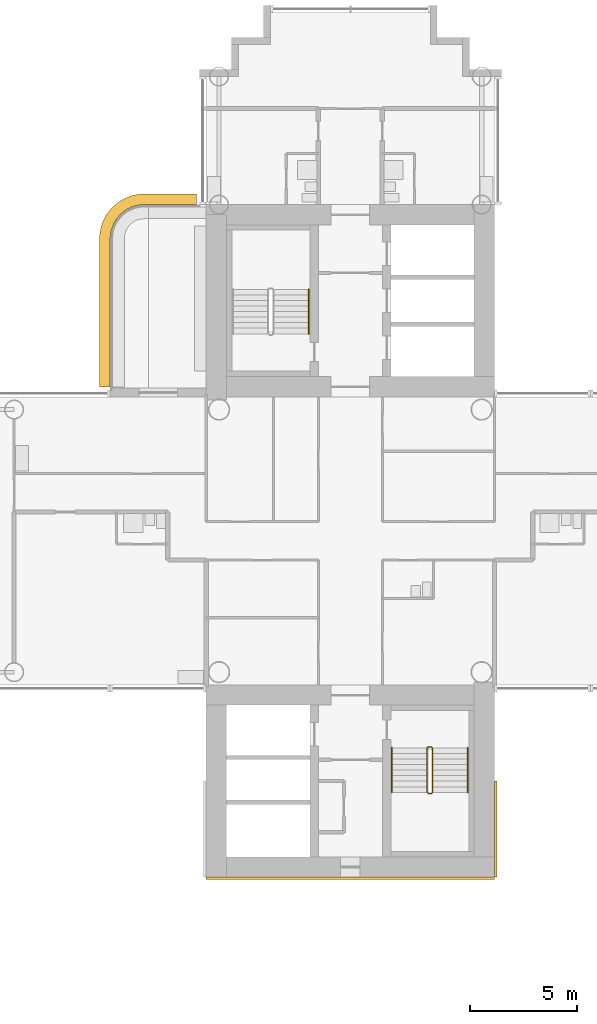
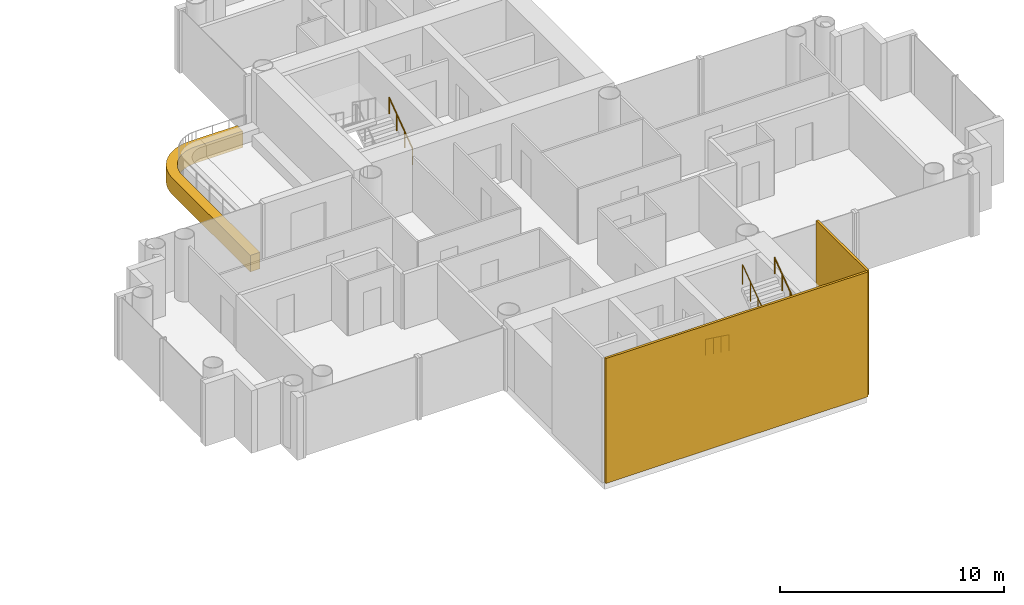
# One storey, part 20 of 21: 4 railings, 3 coverings.
"""IFC4 building model written with IfcOpenShell, lengths in metres."""

from ifc_helpers import new_model, si_unit, direction, frame, origin, origin_2d, place, context, subcontext, project, spatial, polyline, rectangle, circle, outline, extrude, material, layer, layer_set, type_object, element, save


model = new_model("IFC4")

# Units and contexts
model_context = context("Model", 3, precision=1e-05, world=origin(), true_north=direction((0.0, 1.0)))
body_context = subcontext(model_context, "Body", "Model", "MODEL_VIEW")
ifc_project = project(units=[si_unit("LENGTHUNIT", "METRE"), si_unit("AREAUNIT", "SQUARE_METRE"), si_unit("VOLUMEUNIT", "CUBIC_METRE"), si_unit("PLANEANGLEUNIT", "RADIAN"), si_unit("MASSUNIT", "GRAM", prefix="KILO")], contexts=[model_context])

# Site, building, storey
site_placement = place(None, origin())
site = spatial("IfcSite", under=ifc_project, at=site_placement, CompositionType="ELEMENT")
building_placement = place(site_placement, origin())
building = spatial("IfcBuilding", under=site, at=building_placement, Name="Ipe Terrace Towers", CompositionType="ELEMENT")
storey_placement = place(building_placement, frame((0.0, 0.0, 103.800048828125)))
storey = spatial("IfcBuildingStorey", under=building, at=storey_placement, Name="L28", CompositionType="ELEMENT", Elevation=103.800048828125)

# Coverings
ifc_material_1 = material(Name="Concrete C50/60 precast, buff finish", Category="concrete")
ifc_layer_1 = layer(ifc_material_1, 0.1201171875)
ifc_layer_set_1 = layer_set([ifc_layer_1], Name="STONE CORE CLADDING 120")
covering_type_1 = type_object("IfcCoveringType", Name="STONE CORE CLADDING 120", PredefinedType="CLADDING", material=ifc_layer_set_1)
covering_1_placement = place(storey_placement, frame((36.0, -15.81005859375, 0.0), z_axis=(0.0, 0.0, 1.0), x_axis=(1.0, 0.0, 0.0)))
element("IfcCovering", 1, at=covering_1_placement, inside=storey, type_object=covering_type_1, Name="stone core cladding", PredefinedType="CLADDING", context=body_context, shape_type="SweptSolid", body=[
    extrude(rectangle(XDim=13.5, YDim=0.1201171875, at=origin_2d()), origin(), (0.0, 0.0, 1.0), 6.800048828125),
])
covering_2_placement = place(storey_placement, frame((42.81005859375, -13.5, 0.0), z_axis=(0.0, 0.0, 1.0), x_axis=(0.0, 1.0, 0.0)))
element("IfcCovering", 2, at=covering_2_placement, inside=storey, type_object=covering_type_1, Name="stone core cladding", PredefinedType="CLADDING", context=body_context, shape_type="SweptSolid", body=[
    extrude(rectangle(XDim=4.5, YDim=0.1201171875, at=origin_2d()), origin(), (0.0, 0.0, 1.0), 6.800048828125),
])
ifc_material_2 = material(Name="Concrete C50/60 precast, buff finish", Category="concrete")
ifc_layer_2 = layer(ifc_material_2, 0.5)
ifc_layer_set_2 = layer_set([ifc_layer_2], Name="STONE EDGE BAND 500 x 900")
covering_type_2 = type_object("IfcCoveringType", Name="STONE EDGE BAND 500 x 900", PredefinedType="CLADDING", material=ifc_layer_set_2)
covering_3_placement = place(storey_placement, frame((0.0, 0.0, -0.719970703125)))
element("IfcCovering", 3, at=covering_3_placement, inside=storey, type_object=covering_type_2, Name="stone edge band", PredefinedType="CLADDING", context=body_context, shape_type="SweptSolid", body=[
    extrude(outline(polyline([(24.25, 14.14990234375), (24.25, 7.199951171875), (24.75, 7.199951171875), (24.75, 14.14990234375), (24.763916015625, 14.35888671875), (24.804931640625, 14.56396484375), (24.8720703125, 14.761962890625), (24.964111328125, 14.949951171875), (25.0810546875, 15.1240234375), (25.218994140625, 15.281005859375), (25.3759765625, 15.4189453125), (25.550048828125, 15.535888671875), (25.738037109375, 15.6279296875), (25.93603515625, 15.695068359375), (26.14111328125, 15.736083984375), (26.35009765625, 15.75), (28.800048828125, 15.75), (28.800048828125, 16.25), (26.35009765625, 16.25), (26.31689453125, 16.2490234375), (26.10791015625, 16.235107421875), (26.0439453125, 16.22705078125), (25.837890625, 16.18603515625), (25.77490234375, 16.1689453125), (25.576904296875, 16.10205078125), (25.51708984375, 16.076904296875), (25.3291015625, 15.98388671875), (25.27197265625, 15.950927734375), (25.097900390625, 15.8349609375), (25.0458984375, 15.794921875), (24.888916015625, 15.656982421875), (24.843017578125, 15.611083984375), (24.705078125, 15.4541015625), (24.6650390625, 15.402099609375), (24.549072265625, 15.22802734375), (24.51611328125, 15.1708984375), (24.423095703125, 14.98291015625), (24.39794921875, 14.923095703125), (24.3310546875, 14.72509765625), (24.31396484375, 14.662109375), (24.27294921875, 14.4560546875), (24.264892578125, 14.39208984375), (24.2509765625, 14.18310546875), (24.25, 14.14990234375)])), origin(), (0.0, 0.0, 1.0), 0.89990234375),
])

# Railings
ifc_material_3 = material(Name="Steel S355", Category="steel")
railing_type_1 = type_object("IfcRailingType", Name="Stair guard 1100", PredefinedType="GUARDRAIL", material=ifc_material_3)
railing_1_placement = place(storey_placement, frame((39.800048828125, -9.64990234375, 0.0)))
element("IfcRailing", 4, at=railing_1_placement, inside=storey, type_object=railing_type_1, Name="L28 T2-ST2 stair guard 1", PredefinedType="GUARDRAIL", context=body_context, shape_type="SweptSolid", body=[
    extrude(circle(Radius=0.02392578125, at=origin_2d()), frame((0.0, 0.0, 1.076171875), z_axis=(-1.0, 0.0, 0.0), x_axis=(0.0, -1.0, 0.0)), (0.0, 0.0, 1.0), 0.150146484375),
    extrude(circle(Radius=0.02392578125, at=origin_2d()), frame((-0.150146484375, 0.0, 1.076171875), z_axis=(-0.247173786771, -0.248385422981, 0.936594790069), x_axis=(0.708833529934, -0.705375805398, 0.0)), (0.0, 0.0, 1.0), 0.201416015625),
    extrude(circle(Radius=0.02392578125, at=origin_2d()), frame((-0.199951171875, -0.050048828125, 1.2646484375), z_axis=(0.0, -0.809023421508, 0.587776406001), x_axis=(1.0, 0.0, 0.0)), (0.0, 0.0, 1.0), 2.571044921875),
    extrude(circle(Radius=0.02392578125, at=origin_2d()), frame((-0.199951171875, -2.130126953125, 2.77587890625), z_axis=(0.705375805398, -0.708833529934, 0.0), x_axis=(0.708833529934, 0.705375805398, 0.0)), (0.0, 0.0, 1.0), 0.070556640625),
    extrude(circle(Radius=0.02392578125, at=origin_2d()), frame((-0.150146484375, -2.18017578125, 2.77587890625), z_axis=(1.0, 0.0, 0.0), x_axis=(0.0, 1.0, 0.0)), (0.0, 0.0, 1.0), 0.150146484375),
    extrude(circle(Radius=0.02392578125, at=origin_2d()), frame((0.0, -2.18017578125, 2.77587890625), z_axis=(0.248029566107, 0.248029566107, 0.936462849596), x_axis=(-0.707106781187, 0.707106781187, 0.0)), (0.0, 0.0, 1.0), 0.201904296875),
    extrude(circle(Radius=0.02392578125, at=origin_2d()), frame((0.050048828125, -2.130126953125, 2.96484375), z_axis=(0.0, 0.809068575486, 0.587714250432), x_axis=(-1.0, 0.0, 0.0)), (0.0, 0.0, 1.0), 2.571044921875),
    extrude(circle(Radius=0.02099609375, at=origin_2d()), origin(), (0.0, 0.0, 1.0), 1.052001953125),
    extrude(circle(Radius=0.02099609375, at=origin_2d()), frame((-0.150146484375, 0.0, 0.0)), (0.0, 0.0, 1.0), 1.052001953125),
    extrude(circle(Radius=0.02099609375, at=origin_2d()), frame((-0.199951171875, -0.050048828125, 0.188720703125)), (0.0, 0.0, 1.0), 1.052001953125),
    extrude(circle(Radius=0.02099609375, at=origin_2d()), frame((-0.199951171875, -0.743408203125, 0.6923828125)), (0.0, 0.0, 1.0), 1.052001953125),
    extrude(circle(Radius=0.02099609375, at=origin_2d()), frame((-0.199951171875, -1.436767578125, 1.1962890625)), (0.0, 0.0, 1.0), 1.052001953125),
    extrude(circle(Radius=0.02099609375, at=origin_2d()), frame((-0.199951171875, -2.130126953125, 1.699951171875)), (0.0, 0.0, 1.0), 1.052001953125),
    extrude(circle(Radius=0.02099609375, at=origin_2d()), frame((-0.150146484375, -2.18017578125, 1.699951171875)), (0.0, 0.0, 1.0), 1.052001953125),
    extrude(circle(Radius=0.02099609375, at=origin_2d()), frame((0.0, -2.18017578125, 1.699951171875)), (0.0, 0.0, 1.0), 1.052001953125),
    extrude(circle(Radius=0.02099609375, at=origin_2d()), frame((0.050048828125, -2.130126953125, 1.888916015625)), (0.0, 0.0, 1.0), 1.052001953125),
    extrude(circle(Radius=0.02099609375, at=origin_2d()), frame((0.050048828125, -1.436767578125, 2.392578125)), (0.0, 0.0, 1.0), 1.052001953125),
    extrude(circle(Radius=0.02099609375, at=origin_2d()), frame((0.050048828125, -0.743408203125, 2.896240234375)), (0.0, 0.0, 1.0), 1.052001953125),
    extrude(circle(Radius=0.02099609375, at=origin_2d()), frame((0.050048828125, -0.050048828125, 3.39990234375)), (0.0, 0.0, 1.0), 1.052001953125),
])
ifc_material_4 = material(Name="Stainless steel grade 304", Category="steel")
railing_type_2 = type_object("IfcRailingType", Name="Stair handrail 900", PredefinedType="HANDRAIL", material=ifc_material_4)
railing_2_placement = place(storey_placement, frame((34.050048828125, 9.699951171875, 0.188720703125)))
element("IfcRailing", 5, at=railing_2_placement, inside=storey, type_object=railing_type_2, Name="L28 T2-ST1 stair handrail 1", PredefinedType="HANDRAIL", context=body_context, shape_type="SweptSolid", body=[
    extrude(circle(Radius=0.02392578125, at=origin_2d()), frame((0.0, 0.0, 0.8759765625), z_axis=(0.0, 0.809023421508, 0.587776406001), x_axis=(-1.0, 0.0, 0.0)), (0.0, 0.0, 1.0), 2.571044921875),
    extrude(circle(Radius=0.02099609375, at=origin_2d()), origin(), (0.0, 0.0, 1.0), 0.851806640625),
    extrude(circle(Radius=0.02099609375, at=origin_2d()), frame((0.0, 0.693359375, 0.503662109375)), (0.0, 0.0, 1.0), 0.851806640625),
    extrude(circle(Radius=0.02099609375, at=origin_2d()), frame((0.0, 1.38671875, 1.007568359375)), (0.0, 0.0, 1.0), 0.851806640625),
    extrude(circle(Radius=0.02099609375, at=origin_2d()), frame((0.0, 2.080078125, 1.51123046875)), (0.0, 0.0, 1.0), 0.851806640625),
])
railing_3_placement = place(storey_placement, frame((37.949951171875, -9.699951171875, 0.188720703125)))
element("IfcRailing", 6, at=railing_3_placement, inside=storey, type_object=railing_type_2, Name="L28 T2-ST2 stair handrail 1", PredefinedType="HANDRAIL", context=body_context, shape_type="SweptSolid", body=[
    extrude(circle(Radius=0.02392578125, at=origin_2d()), frame((0.0, 0.0, 0.8759765625), z_axis=(0.0, -0.809023421508, 0.587776406001), x_axis=(1.0, 0.0, 0.0)), (0.0, 0.0, 1.0), 2.571044921875),
    extrude(circle(Radius=0.02099609375, at=origin_2d()), origin(), (0.0, 0.0, 1.0), 0.851806640625),
    extrude(circle(Radius=0.02099609375, at=origin_2d()), frame((0.0, -0.693359375, 0.503662109375)), (0.0, 0.0, 1.0), 0.851806640625),
    extrude(circle(Radius=0.02099609375, at=origin_2d()), frame((0.0, -1.38671875, 1.007568359375)), (0.0, 0.0, 1.0), 0.851806640625),
    extrude(circle(Radius=0.02099609375, at=origin_2d()), frame((0.0, -2.080078125, 1.51123046875)), (0.0, 0.0, 1.0), 0.851806640625),
])
railing_4_placement = place(storey_placement, frame((41.5, -11.780029296875, 1.888916015625)))
element("IfcRailing", 7, at=railing_4_placement, inside=storey, type_object=railing_type_2, Name="L28 T2-ST2 stair handrail 2", PredefinedType="HANDRAIL", context=body_context, shape_type="SweptSolid", body=[
    extrude(circle(Radius=0.02392578125, at=origin_2d()), frame((0.0, 0.0, 0.8759765625), z_axis=(0.0, 0.809068575486, 0.587714250432), x_axis=(-1.0, 0.0, 0.0)), (0.0, 0.0, 1.0), 2.571044921875),
    extrude(circle(Radius=0.02099609375, at=origin_2d()), origin(), (0.0, 0.0, 1.0), 0.851806640625),
    extrude(circle(Radius=0.02099609375, at=origin_2d()), frame((0.0, 0.693359375, 0.503662109375)), (0.0, 0.0, 1.0), 0.851806640625),
    extrude(circle(Radius=0.02099609375, at=origin_2d()), frame((0.0, 1.38671875, 1.00732421875)), (0.0, 0.0, 1.0), 0.851806640625),
    extrude(circle(Radius=0.02099609375, at=origin_2d()), frame((0.0, 2.080078125, 1.510986328125)), (0.0, 0.0, 1.0), 0.851806640625),
])

save(model, "model.ifc")
